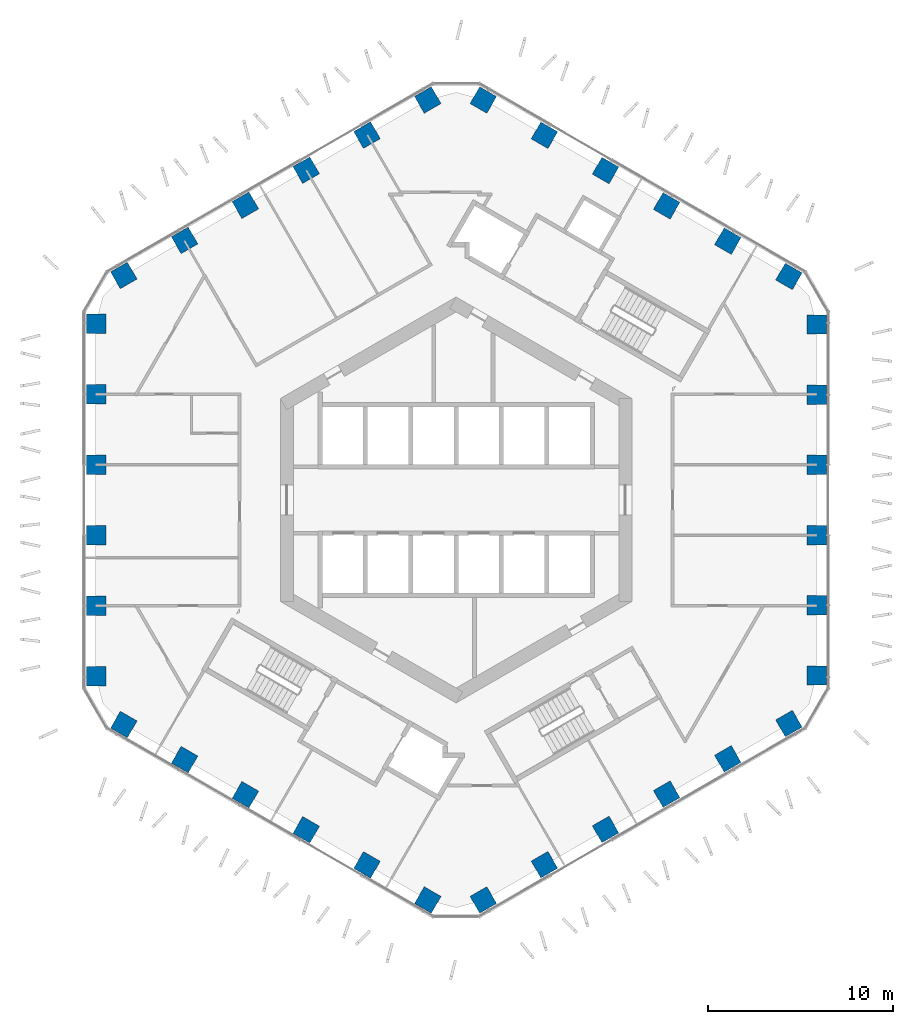
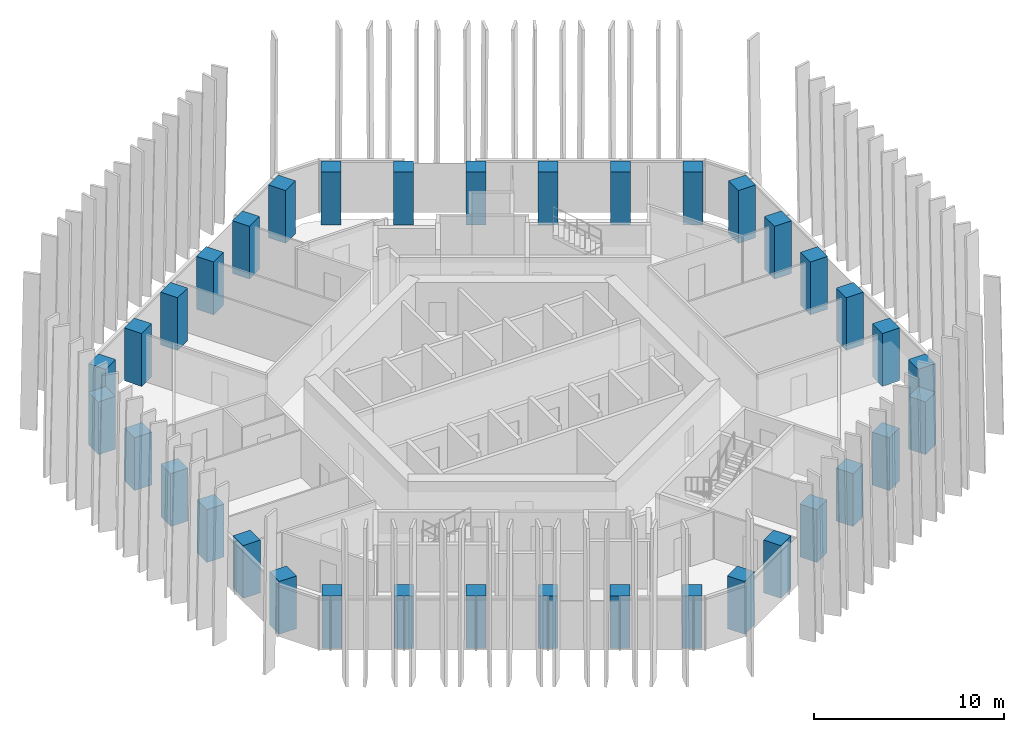
# One storey, part 1 of 18: 36 columns.
"""IFC4 building model written with IfcOpenShell, lengths in metres."""

from ifc_helpers import new_model, si_unit, direction, frame, origin, origin_2d, place, context, subcontext, project, spatial, rectangle, extrude, material, material_profile, profile_set, type_object, element, save


model = new_model("IFC4")

# Units and contexts
model_context = context("Model", 3, precision=1e-05, world=origin(), true_north=direction((0.0, 1.0)))
body_context = subcontext(model_context, "Body", "Model", "MODEL_VIEW")
ifc_project = project(units=[si_unit("LENGTHUNIT", "METRE"), si_unit("AREAUNIT", "SQUARE_METRE"), si_unit("VOLUMEUNIT", "CUBIC_METRE"), si_unit("PLANEANGLEUNIT", "RADIAN"), si_unit("MASSUNIT", "GRAM", prefix="KILO")], contexts=[model_context])

# Site, building, storey
site_placement = place(None, origin())
site = spatial("IfcSite", under=ifc_project, at=site_placement, CompositionType="ELEMENT")
building_placement = place(site_placement, origin())
building = spatial("IfcBuilding", under=site, at=building_placement, Name="Ayvan Gate Tower", CompositionType="ELEMENT")
storey_placement = place(building_placement, frame((0.0, 0.0, 83.10009765625)))
storey = spatial("IfcBuildingStorey", under=building, at=storey_placement, Name="L21", CompositionType="ELEMENT", Elevation=83.10009765625)

# Columns
ifc_material = material(Name="Concrete C60/75", Category="concrete")
ifc_material_profile = material_profile(ifc_material, rectangle(XDim=1.050048828125, YDim=1.050048828125, at=origin_2d()), Name="RC 1050x1050")
ifc_profile_set = profile_set([ifc_material_profile], Name="Concrete C60/75")
column_type = type_object("IfcColumnType", Name="Tube column RC 1050x1050 C60/75", PredefinedType="COLUMN", material=ifc_profile_set)
for number, where, z_axis, x_axis, name in (
    (1, (19.485595703125, -9.483642578125, 0.0), (0.0, 0.0, 1.0), (1.0, 0.0, 0.0), "C-T0-0-L21"),
    (2, (19.485595703125, -5.690185546875, 0.0), (0.0, 0.0, 1.0), (1.0, 0.0, 0.0), "C-T0-1-L21"),
    (3, (19.485595703125, -1.896728515625, 0.0), (0.0, 0.0, 1.0), (1.0, 0.0, 0.0), "C-T0-2-L21"),
    (4, (19.485595703125, 1.896728515625, 0.0), (0.0, 0.0, 1.0), (1.0, 0.0, 0.0), "C-T0-3-L21"),
    (5, (19.485595703125, 5.690185546875, 0.0), (0.0, 0.0, 1.0), (1.0, 0.0, 0.0), "C-T0-4-L21"),
    (6, (19.485595703125, 9.483642578125, 0.0), (0.0, 0.0, 1.0), (1.0, 0.0, 0.0), "C-T0-5-L21"),
    (7, (17.985595703125, 12.081787109375, 0.0), (0.0, 0.0, 1.0), (0.5, 0.866025403784, 0.0), "C-T1-0-L21"),
    (8, (14.6826171875, 13.98876953125, 0.0), (0.0, 0.0, 1.0), (0.5, 0.866025403784, 0.0), "C-T1-1-L21"),
    (9, (11.37939453125, 15.895751953125, 0.0), (0.0, 0.0, 1.0), (0.5, 0.866025403784, 0.0), "C-T1-2-L21"),
    (10, (8.076416015625, 17.802734375, 0.0), (0.0, 0.0, 1.0), (0.5, 0.866025403784, 0.0), "C-T1-3-L21"),
    (11, (4.7734375, 19.709716796875, 0.0), (0.0, 0.0, 1.0), (0.5, 0.866025403784, 0.0), "C-T1-4-L21"),
    (12, (1.47021484375, 21.616943359375, 0.0), (0.0, 0.0, 1.0), (0.5, 0.866025403784, 0.0), "C-T1-5-L21"),
    (13, (-1.52978515625, 21.616943359375, 0.0), (0.0, 0.0, 1.0), (-0.5, 0.866025403784, 0.0), "C-T2-0-L21"),
    (14, (-4.81494140625, 19.72021484375, 0.0), (0.0, 0.0, 1.0), (-0.5, 0.866025403784, 0.0), "C-T2-1-L21"),
    (15, (-8.10009765625, 17.823486328125, 0.0), (0.0, 0.0, 1.0), (-0.5, 0.866025403784, 0.0), "C-T2-2-L21"),
    (16, (-11.385498046875, 15.926513671875, 0.0), (0.0, 0.0, 1.0), (-0.5, 0.866025403784, 0.0), "C-T2-3-L21"),
    (17, (-14.670654296875, 14.02978515625, 0.0), (0.0, 0.0, 1.0), (-0.5, 0.866025403784, 0.0), "C-T2-4-L21"),
    (18, (-17.955810546875, 12.133056640625, 0.0), (0.0, 0.0, 1.0), (-0.5, 0.866025403784, 0.0), "C-T2-5-L21"),
    (19, (-19.455810546875, 9.53515625, 0.0), (0.0, 0.0, 1.0), (-1.0, 0.0, 0.0), "C-T3-0-L21"),
    (20, (-19.455810546875, 5.720947265625, 0.0), (0.0, 0.0, 1.0), (-1.0, 0.0, 0.0), "C-T3-1-L21"),
    (21, (-19.455810546875, 1.906982421875, 0.0), (0.0, 0.0, 1.0), (-1.0, 0.0, 0.0), "C-T3-2-L21"),
    (22, (-19.455810546875, -1.906982421875, 0.0), (0.0, 0.0, 1.0), (-1.0, 0.0, 0.0), "C-T3-3-L21"),
    (23, (-19.455810546875, -5.720947265625, 0.0), (0.0, 0.0, 1.0), (-1.0, 0.0, 0.0), "C-T3-4-L21"),
    (24, (-19.455810546875, -9.53515625, 0.0), (0.0, 0.0, 1.0), (-1.0, 0.0, 0.0), "C-T3-5-L21"),
    (25, (-17.955810546875, -12.133056640625, 0.0), (0.0, 0.0, 1.0), (-0.5, -0.866025403784, 0.0), "C-T4-0-L21"),
    (26, (-14.670654296875, -14.02978515625, 0.0), (0.0, 0.0, 1.0), (-0.5, -0.866025403784, 0.0), "C-T4-1-L21"),
    (27, (-11.385498046875, -15.926513671875, 0.0), (0.0, 0.0, 1.0), (-0.5, -0.866025403784, 0.0), "C-T4-2-L21"),
    (28, (-8.10009765625, -17.823486328125, 0.0), (0.0, 0.0, 1.0), (-0.5, -0.866025403784, 0.0), "C-T4-3-L21"),
    (29, (-4.81494140625, -19.72021484375, 0.0), (0.0, 0.0, 1.0), (-0.5, -0.866025403784, 0.0), "C-T4-4-L21"),
    (30, (-1.52978515625, -21.616943359375, 0.0), (0.0, 0.0, 1.0), (-0.5, -0.866025403784, 0.0), "C-T4-5-L21"),
    (31, (1.47021484375, -21.616943359375, 0.0), (0.0, 0.0, 1.0), (0.5, -0.866025403784, 0.0), "C-T5-0-L21"),
    (32, (4.7734375, -19.709716796875, 0.0), (0.0, 0.0, 1.0), (0.5, -0.866025403784, 0.0), "C-T5-1-L21"),
    (33, (8.076416015625, -17.802734375, 0.0), (0.0, 0.0, 1.0), (0.5, -0.866025403784, 0.0), "C-T5-2-L21"),
    (34, (11.37939453125, -15.895751953125, 0.0), (0.0, 0.0, 1.0), (0.5, -0.866025403784, 0.0), "C-T5-3-L21"),
    (35, (14.6826171875, -13.98876953125, 0.0), (0.0, 0.0, 1.0), (0.5, -0.866025403784, 0.0), "C-T5-4-L21"),
    (36, (17.985595703125, -12.081787109375, 0.0), (0.0, 0.0, 1.0), (0.5, -0.866025403784, 0.0), "C-T5-5-L21"),
):
    element("IfcColumn", number, at=place(storey_placement, frame(where, z_axis=z_axis, x_axis=x_axis)), inside=storey, type_object=column_type, Name=name, PredefinedType="COLUMN", context=body_context, shape_type="SweptSolid", body=[
        extrude(rectangle(XDim=1.050048828125, YDim=1.050048828125, at=origin_2d()), origin(), (0.0, 0.0, 1.0), 3.39990234375),
    ])

save(model, "model.ifc")
